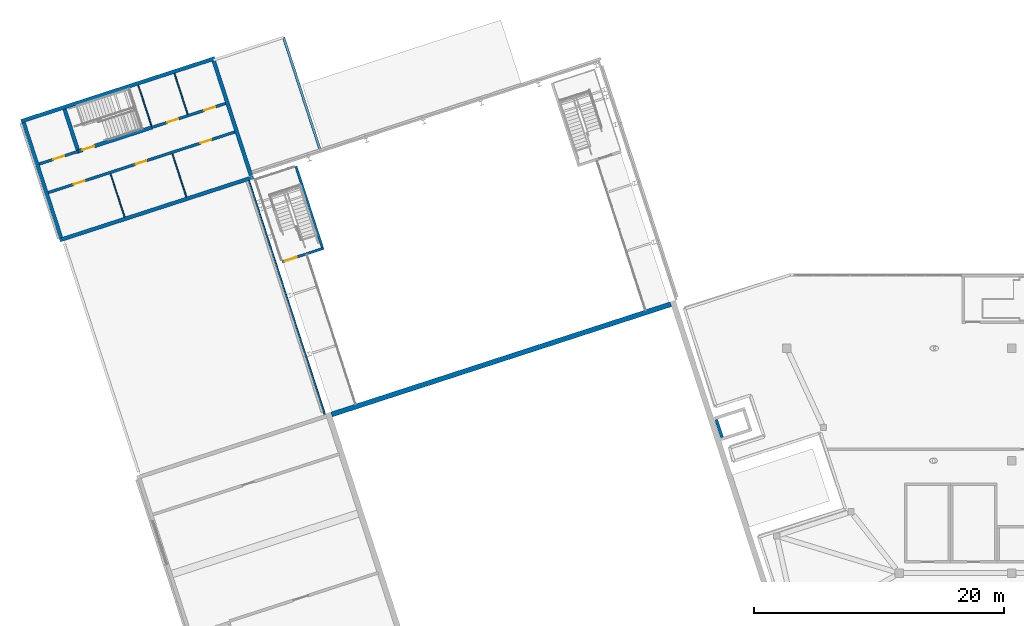
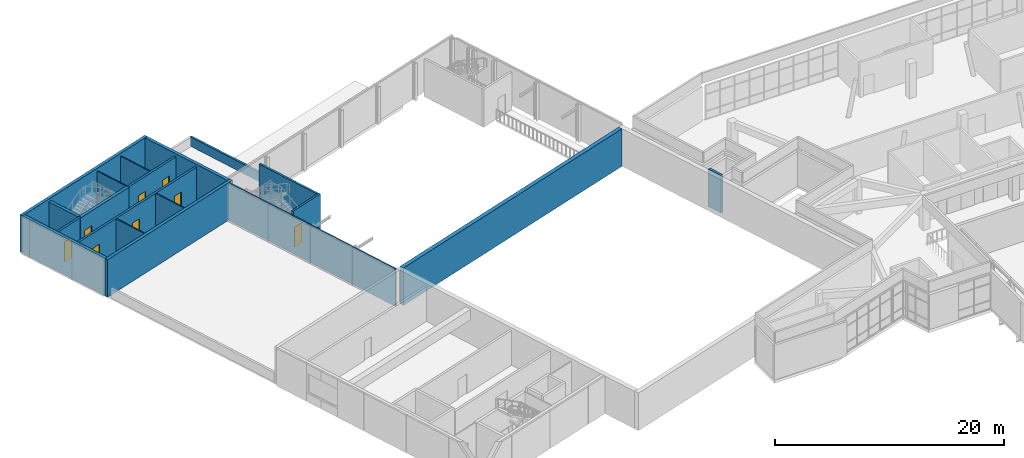
# One storey, part 61 of 72: 19 walls, 8 doors, 8 openings.
"""IFC4 building model written with IfcOpenShell, lengths in metres."""

from ifc_helpers import new_model, si_unit, direction, frame, frame_2d, origin, place, context, subcontext, project, spatial, rectangle, extrude, material, layer, layer_set, type_object, element, fill, save


model = new_model("IFC4")

# Units and contexts
model_context = context("Model", 3, precision=1e-05, world=origin(), true_north=direction((0.0, 1.0)))
body_context = subcontext(model_context, "Body", "Model", "MODEL_VIEW")
ifc_project = project(units=[si_unit("LENGTHUNIT", "METRE"), si_unit("AREAUNIT", "SQUARE_METRE"), si_unit("VOLUMEUNIT", "CUBIC_METRE"), si_unit("PLANEANGLEUNIT", "RADIAN"), si_unit("MASSUNIT", "GRAM", prefix="KILO")], contexts=[model_context])

# Site, building, storey
site_placement = place(None, origin())
site = spatial("IfcSite", under=ifc_project, at=site_placement, CompositionType="ELEMENT")
building_placement = place(site_placement, origin())
building = spatial("IfcBuilding", under=site, at=building_placement, Name="Tuart Plaza Theatre", CompositionType="ELEMENT")
storey_placement = place(building_placement, frame((0.0, 0.0, 13.5)))
storey = spatial("IfcBuildingStorey", under=building, at=storey_placement, Name="L03", CompositionType="ELEMENT", Elevation=13.5)

# Walls
ifc_material_1 = material(Name="Concrete N40 (40 MPa)", Category="concrete")
ifc_layer_1 = layer(ifc_material_1, 0.199951171875)
ifc_layer_set_1 = layer_set([ifc_layer_1], Name="PARAPET RC200 EXT")
wall_type_1 = type_object("IfcWallType", Name="PARAPET RC200 EXT", PredefinedType="PARAPET", material=ifc_layer_set_1)
wall_1_placement = place(storey_placement, frame((37.71923828125, 98.889404296875, 0.0), z_axis=(0.0, 0.0, 1.0), x_axis=(0.309002393867, -0.951061260164, 0.0)))
element("IfcWall", 1, at=wall_1_placement, inside=storey, type_object=wall_type_1, Name="P28", PredefinedType="PARAPET", context=body_context, shape_type="SweptSolid", body=[
    extrude(rectangle(XDim=9.5, YDim=0.199951171875, at=frame_2d((4.75, 0.0))), origin(), (0.0, 0.0, 1.0), 1.0),
])
ifc_material_2 = material(Name="Plasterboard on steel stud", Category="steel")
ifc_layer_2 = layer(ifc_material_2, 0.10009765625)
ifc_layer_set_2 = layer_set([ifc_layer_2], Name="PARTITION STD100")
wall_type_2 = type_object("IfcWallType", Name="PARTITION STD100", PredefinedType="PARTITIONING", material=ifc_layer_set_2)
wall_2_placement = place(storey_placement, frame((24.9921875, 84.50244140625, 0.0), z_axis=(0.0, 0.0, 1.0), x_axis=(-0.309075455797, 0.951037519041, 0.0)))
element("IfcWall", 2, at=wall_2_placement, inside=storey, type_object=wall_type_2, Name="P272", PredefinedType="PARTITIONING", context=body_context, shape_type="SweptSolid", body=[
    extrude(rectangle(XDim=3.639892578125, YDim=0.10009765625, at=frame_2d((1.81982421875, 0.0))), origin(), (0.0, 0.0, 1.0), 3.699951171875),
])
wall_3_placement = place(storey_placement, frame((29.9375, 86.109130859375, 0.0), z_axis=(0.0, 0.0, 1.0), x_axis=(-0.308995076085, 0.9510636377, 0.0)))
element("IfcWall", 3, at=wall_3_placement, inside=storey, type_object=wall_type_2, Name="P275", PredefinedType="PARTITIONING", context=body_context, shape_type="SweptSolid", body=[
    extrude(rectangle(XDim=3.64013671875, YDim=0.10009765625, at=frame_2d((1.820068359375, 0.0))), origin(), (0.0, 0.0, 1.0), 3.699951171875),
])
wall_4_placement = place(storey_placement, frame((30.0478515625, 92.727294921875, 0.0), z_axis=(0.0, 0.0, 1.0), x_axis=(-0.309021877853, 0.951054929543, 0.0)))
element("IfcWall", 4, at=wall_4_placement, inside=storey, type_object=wall_type_2, Name="P276", PredefinedType="PARTITIONING", context=body_context, shape_type="SweptSolid", body=[
    extrude(rectangle(XDim=3.43994140625, YDim=0.10009765625, at=frame_2d((1.719970703125, 0.0))), origin(), (0.0, 0.0, 1.0), 3.699951171875),
])
ifc_material_3 = material(Name="Plasterboard on steel stud", Category="steel")
ifc_layer_3 = layer(ifc_material_3, 0.10009765625)
ifc_layer_set_3 = layer_set([ifc_layer_3], Name="PARTITION STD100 FRL 120/120/120")
wall_type_3 = type_object("IfcWallType", Name="PARTITION STD100 FRL 120/120/120", PredefinedType="PARTITIONING", material=ifc_layer_set_3)
wall_5_placement = place(storey_placement, frame((27.134765625, 91.82275390625, 0.0), z_axis=(0.0, 0.0, 1.0), x_axis=(-0.308980533303, 0.951068362443, 0.0)))
element("IfcWall", 5, at=wall_5_placement, inside=storey, type_object=wall_type_3, Name="P274", PredefinedType="PARTITIONING", context=body_context, shape_type="SweptSolid", body=[
    extrude(rectangle(XDim=3.39990234375, YDim=0.10009765625, at=frame_2d((1.699951171875, 0.0))), origin(), (0.0, 0.0, 1.0), 3.699951171875),
])
ifc_material_4 = material(Name="Concrete N40 (40 MPa)", Category="concrete")
ifc_layer_4 = layer(ifc_material_4, 0.25)
ifc_layer_set_4 = layer_set([ifc_layer_4], Name="SHEAR WALL RC250 FRL 120/120/120")
wall_type_4 = type_object("IfcWallType", Name="SHEAR WALL RC250 FRL 120/120/120", PredefinedType="SHEAR", material=ifc_layer_set_4)
wall_6_placement = place(storey_placement, frame((72.343994140625, 68.29150390625, 0.0), z_axis=(0.0, 0.0, 1.0), x_axis=(0.309089752708, -0.951032872603, 0.0)))
element("IfcWall", 6, at=wall_6_placement, inside=storey, type_object=wall_type_4, Name="W243", PredefinedType="SHEAR", context=body_context, shape_type="SweptSolid", body=[
    extrude(rectangle(XDim=1.5, YDim=0.25, at=frame_2d((0.75, 0.0))), origin(), (0.0, 0.0, 1.0), 4.0),
])
ifc_material_5 = material(Name="Concrete N50 (50 MPa)", Category="concrete")
ifc_layer_5 = layer(ifc_material_5, 0.39990234375)
ifc_layer_set_5 = layer_set([ifc_layer_5], Name="SHEAR WALL RC400 N50 FRL 120/120/120")
wall_type_5 = type_object("IfcWallType", Name="SHEAR WALL RC400 N50 FRL 120/120/120", PredefinedType="SHEAR", material=ifc_layer_set_5)
wall_7_placement = place(storey_placement, frame((41.5615234375, 68.69921875, 0.0), z_axis=(0.0, 0.0, 1.0), x_axis=(0.951058008754, 0.309012401021, 0.0)))
element("IfcWall", 7, at=wall_7_placement, inside=storey, type_object=wall_type_5, Name="W55", PredefinedType="SHEAR", context=body_context, shape_type="SweptSolid", body=[
    extrude(rectangle(XDim=28.5498046875, YDim=0.39990234375, at=frame_2d((14.27490234375, 0.0))), origin(), (0.0, 0.0, 1.0), 4.0),
])

# Wall, opening, door
ifc_material_6 = material(Name="Concrete N40 (40 MPa)", Category="concrete")
ifc_layer_6 = layer(ifc_material_6, 0.199951171875)
ifc_layer_set_6 = layer_set([ifc_layer_6], Name="WALL RC200 LB FRL 120/120/120")
wall_type_6 = type_object("IfcWallType", Name="WALL RC200 LB FRL 120/120/120", PredefinedType="SOLIDWALL", material=ifc_layer_set_6)
wall_8_placement = place(storey_placement, frame((37.590576171875, 80.920166015625, 0.0), z_axis=(0.0, 0.0, 1.0), x_axis=(0.951052389726, 0.30902969436, 0.0)))
wall_8 = element("IfcWall", 8, at=wall_8_placement, inside=storey, type_object=wall_type_6, Name="W140", PredefinedType="SOLIDWALL", context=body_context, shape_type="SweptSolid", body=[
    extrude(rectangle(XDim=3.525146484375, YDim=0.199951171875, at=frame_2d((1.7626953125, 0.0))), origin(), (0.0, 0.0, 1.0), 4.0),
])
opening_1_placement = place(wall_8_placement, frame((0.22509765625, 0.0, 0.0)))
opening_1 = element("IfcOpeningElement", 9, at=opening_1_placement, cuts=wall_8, Name="Opening L03-017", PredefinedType="OPENING", context=body_context, shape_type="SweptSolid", body=[
    extrude(rectangle(XDim=1.0, YDim=2.10009765625, at=frame_2d((0.5, 1.050048828125))), frame((0.0, 0.10986328125, 0.0), z_axis=(0.0, -1.0, 0.0), x_axis=(1.0, 0.0, 0.0)), (0.0, 0.0, 1.0), 0.219970703125),
])
ifc_material_7 = material(Name="Timber", Category="wood")
door_type_1 = type_object("IfcDoorType", Name="DOOR 1000x2100 timber single swing FRL -/120/30", OperationType="SINGLE_SWING_LEFT", PredefinedType="DOOR", material=ifc_material_7)
door_1_placement = place(opening_1_placement, origin())
door_1 = element("IfcDoor", 10, at=door_1_placement, inside=storey, type_object=door_type_1, Name="L03-017", OperationType="SINGLE_SWING_LEFT", OverallHeight=2.10009765625, OverallWidth=1.0, PredefinedType="DOOR", context=body_context, shape_type="SweptSolid", body=[
    extrude(rectangle(XDim=1.0, YDim=2.10009765625, at=frame_2d((0.5, 1.050048828125))), frame((0.0, 0.02490234375, 0.0), z_axis=(0.0, -1.0, 0.0), x_axis=(1.0, 0.0, 0.0)), (0.0, 0.0, 1.0), 0.050048828125),
])
fill(opening_1, door_1)

# Wall
wall_9_placement = place(storey_placement, frame((40.817138671875, 82.07373046875, 0.0), z_axis=(0.0, 0.0, 1.0), x_axis=(-0.309028643499, 0.951052731186, 0.0)))
element("IfcWall", 11, at=wall_9_placement, inside=storey, type_object=wall_type_6, Name="W141", PredefinedType="SOLIDWALL", context=body_context, shape_type="SweptSolid", body=[
    extrude(rectangle(XDim=6.824951171875, YDim=0.199951171875, at=frame_2d((3.41259765625, 0.0))), origin(), (0.0, 0.0, 1.0), 4.0),
])

# Wall, openings, doors
ifc_material_8 = material(Name="Concrete N40 (40 MPa)", Category="concrete")
ifc_layer_7 = layer(ifc_material_8, 0.219970703125)
ifc_layer_set_7 = layer_set([ifc_layer_7], Name="WALL RC220 LB FRL 120/120/120")
wall_type_7 = type_object("IfcWallType", Name="WALL RC220 LB FRL 120/120/120", PredefinedType="SOLIDWALL", material=ifc_layer_set_7)
wall_10_placement = place(storey_placement, frame((18.8876953125, 86.4619140625, 0.0), z_axis=(0.0, 0.0, 1.0), x_axis=(0.951056921306, 0.309015747878, 0.0)))
wall_10 = element("IfcWall", 12, at=wall_10_placement, inside=storey, type_object=wall_type_7, Name="W533", PredefinedType="SOLIDWALL", context=body_context, shape_type="SweptSolid", body=[
    extrude(rectangle(XDim=15.699951171875, YDim=0.219970703125, at=frame_2d((7.85009765625, 0.0))), origin(), (0.0, 0.0, 1.0), 3.699951171875),
])
opening_2_placement = place(wall_10_placement, frame((2.14990234375, 0.0, 0.0)))
opening_2 = element("IfcOpeningElement", 13, at=opening_2_placement, cuts=wall_10, Name="Opening L03-012", PredefinedType="OPENING", context=body_context, shape_type="SweptSolid", body=[
    extrude(rectangle(XDim=0.89990234375, YDim=2.10009765625, at=frame_2d((0.449951171875, 1.050048828125))), frame((0.0, 0.119873046875, 0.0), z_axis=(0.0, -1.0, 0.0), x_axis=(1.0, 0.0, 0.0)), (0.0, 0.0, 1.0), 0.239990234375),
])
opening_3_placement = place(wall_10_placement, frame((7.35009765625, 0.0, 0.0)))
opening_3 = element("IfcOpeningElement", 14, at=opening_3_placement, cuts=wall_10, Name="Opening L03-013", PredefinedType="OPENING", context=body_context, shape_type="SweptSolid", body=[
    extrude(rectangle(XDim=0.89990234375, YDim=2.10009765625, at=frame_2d((0.449951171875, 1.050048828125))), frame((0.0, 0.119873046875, 0.0), z_axis=(0.0, -1.0, 0.0), x_axis=(1.0, 0.0, 0.0)), (0.0, 0.0, 1.0), 0.239990234375),
])
opening_4_placement = place(wall_10_placement, frame((12.803955078125, 0.0, 0.0)))
opening_4 = element("IfcOpeningElement", 15, at=opening_4_placement, cuts=wall_10, Name="Opening L03-014", PredefinedType="OPENING", context=body_context, shape_type="SweptSolid", body=[
    extrude(rectangle(XDim=0.89990234375, YDim=2.10009765625, at=frame_2d((0.449951171875, 1.050048828125))), frame((0.0, 0.119873046875, 0.0), z_axis=(0.0, -1.0, 0.0), x_axis=(1.0, 0.0, 0.0)), (0.0, 0.0, 1.0), 0.239990234375),
])
ifc_material_9 = material(Name="Timber", Category="wood")
door_type_2 = type_object("IfcDoorType", Name="DOOR 900x2100 timber single swing FRL -/120/30", OperationType="SINGLE_SWING_LEFT", PredefinedType="DOOR", material=ifc_material_9)
door_2_placement = place(opening_2_placement, frame((0.89990234375, 0.0, 0.0), z_axis=(0.0, 0.0, 1.0), x_axis=(-1.0, 0.0, 0.0)))
door_2 = element("IfcDoor", 16, at=door_2_placement, inside=storey, type_object=door_type_2, Name="L03-012", OperationType="SINGLE_SWING_LEFT", OverallHeight=2.10009765625, OverallWidth=0.89990234375, PredefinedType="DOOR", context=body_context, shape_type="SweptSolid", body=[
    extrude(rectangle(XDim=0.89990234375, YDim=2.10009765625, at=frame_2d((0.449951171875, 1.050048828125))), frame((0.0, 0.02490234375, 0.0), z_axis=(0.0, -1.0, 0.0), x_axis=(1.0, 0.0, 0.0)), (0.0, 0.0, 1.0), 0.050048828125),
])
fill(opening_2, door_2)
door_3_placement = place(opening_3_placement, frame((0.89990234375, 0.0, 0.0), z_axis=(0.0, 0.0, 1.0), x_axis=(-1.0, 0.0, 0.0)))
door_3 = element("IfcDoor", 17, at=door_3_placement, inside=storey, type_object=door_type_2, Name="L03-013", OperationType="SINGLE_SWING_LEFT", OverallHeight=2.10009765625, OverallWidth=0.89990234375, PredefinedType="DOOR", context=body_context, shape_type="SweptSolid", body=[
    extrude(rectangle(XDim=0.89990234375, YDim=2.10009765625, at=frame_2d((0.449951171875, 1.050048828125))), frame((0.0, 0.02490234375, 0.0), z_axis=(0.0, -1.0, 0.0), x_axis=(1.0, 0.0, 0.0)), (0.0, 0.0, 1.0), 0.050048828125),
])
fill(opening_3, door_3)
door_4_placement = place(opening_4_placement, frame((0.89990234375, 0.0, 0.0), z_axis=(0.0, 0.0, 1.0), x_axis=(-1.0, 0.0, 0.0)))
door_4 = element("IfcDoor", 18, at=door_4_placement, inside=storey, type_object=door_type_2, Name="L03-014", OperationType="SINGLE_SWING_LEFT", OverallHeight=2.10009765625, OverallWidth=0.89990234375, PredefinedType="DOOR", context=body_context, shape_type="SweptSolid", body=[
    extrude(rectangle(XDim=0.89990234375, YDim=2.10009765625, at=frame_2d((0.449951171875, 1.050048828125))), frame((0.0, 0.02490234375, 0.0), z_axis=(0.0, -1.0, 0.0), x_axis=(1.0, 0.0, 0.0)), (0.0, 0.0, 1.0), 0.050048828125),
])
fill(opening_4, door_4)

# Wall, opening, door
wall_11_placement = place(storey_placement, frame((18.146240234375, 88.744384765625, 0.0), z_axis=(0.0, 0.0, 1.0), x_axis=(0.951053095941, 0.309027520945, 0.0)))
wall_11 = element("IfcWall", 19, at=wall_11_placement, inside=storey, type_object=wall_type_7, Name="W534", PredefinedType="SOLIDWALL", context=body_context, shape_type="SweptSolid", body=[
    extrude(rectangle(XDim=3.300048828125, YDim=0.219970703125, at=frame_2d((1.64990234375, 0.0))), origin(), (0.0, 0.0, 1.0), 3.699951171875),
])
opening_5_placement = place(wall_11_placement, frame((1.199951171875, 0.0, 0.0)))
opening_5 = element("IfcOpeningElement", 20, at=opening_5_placement, cuts=wall_11, Name="Opening L03-006", PredefinedType="OPENING", context=body_context, shape_type="SweptSolid", body=[
    extrude(rectangle(XDim=0.89990234375, YDim=2.10009765625, at=frame_2d((0.449951171875, 1.050048828125))), frame((0.0, 0.119873046875, 0.0), z_axis=(0.0, -1.0, 0.0), x_axis=(1.0, 0.0, 0.0)), (0.0, 0.0, 1.0), 0.239990234375),
])
door_5_placement = place(opening_5_placement, origin())
door_5 = element("IfcDoor", 21, at=door_5_placement, inside=storey, type_object=door_type_2, Name="L03-006", OperationType="SINGLE_SWING_LEFT", OverallHeight=2.10009765625, OverallWidth=0.89990234375, PredefinedType="DOOR", context=body_context, shape_type="SweptSolid", body=[
    extrude(rectangle(XDim=0.89990234375, YDim=2.10009765625, at=frame_2d((0.449951171875, 1.050048828125))), frame((0.0, 0.02490234375, 0.0), z_axis=(0.0, -1.0, 0.0), x_axis=(1.0, 0.0, 0.0)), (0.0, 0.0, 1.0), 0.050048828125),
])
fill(opening_5, door_5)

# Wall, openings, doors
wall_12_placement = place(storey_placement, frame((27.18115234375, 91.68017578125, 0.0), z_axis=(0.0, 0.0, 1.0), x_axis=(0.95106184554, 0.309000592164, 0.0)))
wall_12 = element("IfcWall", 22, at=wall_12_placement, inside=storey, type_object=wall_type_7, Name="W535", PredefinedType="SOLIDWALL", context=body_context, shape_type="SweptSolid", body=[
    extrude(rectangle(XDim=6.199951171875, YDim=0.219970703125, at=frame_2d((3.10009765625, 0.0))), origin(), (0.0, 0.0, 1.0), 3.699951171875),
])
opening_6_placement = place(wall_12_placement, frame((1.29296875, 0.0, 0.0)))
opening_6 = element("IfcOpeningElement", 23, at=opening_6_placement, cuts=wall_12, Name="Opening L03-007", PredefinedType="OPENING", context=body_context, shape_type="SweptSolid", body=[
    extrude(rectangle(XDim=0.89990234375, YDim=2.10009765625, at=frame_2d((0.449951171875, 1.050048828125))), frame((0.0, 0.119873046875, 0.0), z_axis=(0.0, -1.0, 0.0), x_axis=(1.0, 0.0, 0.0)), (0.0, 0.0, 1.0), 0.239990234375),
])
opening_7_placement = place(wall_12_placement, frame((4.39990234375, 0.0, 0.0)))
opening_7 = element("IfcOpeningElement", 24, at=opening_7_placement, cuts=wall_12, Name="Opening L03-008", PredefinedType="OPENING", context=body_context, shape_type="SweptSolid", body=[
    extrude(rectangle(XDim=0.89990234375, YDim=2.10009765625, at=frame_2d((0.449951171875, 1.050048828125))), frame((0.0, 0.119873046875, 0.0), z_axis=(0.0, -1.0, 0.0), x_axis=(1.0, 0.0, 0.0)), (0.0, 0.0, 1.0), 0.239990234375),
])
door_6_placement = place(opening_6_placement, origin())
door_6 = element("IfcDoor", 25, at=door_6_placement, inside=storey, type_object=door_type_2, Name="L03-007", OperationType="SINGLE_SWING_RIGHT", OverallHeight=2.10009765625, OverallWidth=0.89990234375, PredefinedType="DOOR", context=body_context, shape_type="SweptSolid", body=[
    extrude(rectangle(XDim=0.89990234375, YDim=2.10009765625, at=frame_2d((0.449951171875, 1.050048828125))), frame((0.0, 0.02490234375, 0.0), z_axis=(0.0, -1.0, 0.0), x_axis=(1.0, 0.0, 0.0)), (0.0, 0.0, 1.0), 0.050048828125),
])
fill(opening_6, door_6)
door_7_placement = place(opening_7_placement, origin())
door_7 = element("IfcDoor", 26, at=door_7_placement, inside=storey, type_object=door_type_2, Name="L03-008", OperationType="SINGLE_SWING_LEFT", OverallHeight=2.10009765625, OverallWidth=0.89990234375, PredefinedType="DOOR", context=body_context, shape_type="SweptSolid", body=[
    extrude(rectangle(XDim=0.89990234375, YDim=2.10009765625, at=frame_2d((0.449951171875, 1.050048828125))), frame((0.0, 0.02490234375, 0.0), z_axis=(0.0, -1.0, 0.0), x_axis=(1.0, 0.0, 0.0)), (0.0, 0.0, 1.0), 0.050048828125),
])
fill(opening_7, door_7)

# Walls
ifc_material_10 = material(Name="Concrete N40 (40 MPa)", Category="concrete")
ifc_layer_8 = layer(ifc_material_10, 0.300048828125)
ifc_layer_set_8 = layer_set([ifc_layer_8], Name="WALL RC300 LB FRL 120/120/120")
wall_type_8 = type_object("IfcWallType", Name="WALL RC300 LB FRL 120/120/120", PredefinedType="SOLIDWALL", material=ifc_layer_set_8)
wall_13_placement = place(storey_placement, frame((35.309814453125, 87.697021484375, 0.0), z_axis=(0.0, 0.0, 1.0), x_axis=(-0.951058391285, -0.309011223689, 0.0)))
element("IfcWall", 27, at=wall_13_placement, inside=storey, type_object=wall_type_8, Name="W86", PredefinedType="SOLIDWALL", context=body_context, shape_type="SweptSolid", body=[
    extrude(rectangle(XDim=16.300048828125, YDim=0.300048828125, at=frame_2d((8.14990234375, 0.0))), origin(), (0.0, 0.0, 1.0), 4.0),
])
wall_14_placement = place(storey_placement, frame((19.90380859375, 82.84912109375, 0.0), z_axis=(0.0, 0.0, 1.0), x_axis=(-0.309000135, 0.951061994073, 0.0)))
element("IfcWall", 28, at=wall_14_placement, inside=storey, type_object=wall_type_8, Name="W87", PredefinedType="SOLIDWALL", context=body_context, shape_type="SweptSolid", body=[
    extrude(rectangle(XDim=9.699951171875, YDim=0.300048828125, at=frame_2d((4.85009765625, 0.0))), origin(), (0.0, 0.0, 1.0), 4.0),
])
wall_15_placement = place(storey_placement, frame((16.717529296875, 92.170654296875, 0.0), z_axis=(0.0, 0.0, 1.0), x_axis=(0.951058391285, 0.309011223689, 0.0)))
element("IfcWall", 29, at=wall_15_placement, inside=storey, type_object=wall_type_8, Name="W88", PredefinedType="SOLIDWALL", context=body_context, shape_type="SweptSolid", body=[
    extrude(rectangle(XDim=16.300048828125, YDim=0.300048828125, at=frame_2d((8.14990234375, 0.0))), origin(), (0.0, 0.0, 1.0), 4.0),
])
wall_16_placement = place(storey_placement, frame((32.123291015625, 97.0185546875, 0.0), z_axis=(0.0, 0.0, 1.0), x_axis=(0.309030297822, -0.95105219364, 0.0)))
element("IfcWall", 30, at=wall_16_placement, inside=storey, type_object=wall_type_8, Name="W89", PredefinedType="SOLIDWALL", context=body_context, shape_type="SweptSolid", body=[
    extrude(rectangle(XDim=9.699951171875, YDim=0.300048828125, at=frame_2d((4.85009765625, 0.0))), origin(), (0.0, 0.0, 1.0), 4.0),
])

# Wall, opening, door
wall_17_placement = place(storey_placement, frame((27.18115234375, 91.68017578125, 0.0), z_axis=(0.0, 0.0, 1.0), x_axis=(-0.951051301895, -0.309033042189, 0.0)))
wall_17 = element("IfcWall", 31, at=wall_17_placement, inside=storey, type_object=wall_type_8, Name="W121", PredefinedType="SOLIDWALL", context=body_context, shape_type="SweptSolid", body=[
    extrude(rectangle(XDim=6.35009765625, YDim=0.300048828125, at=frame_2d((3.175048828125, 0.0))), origin(), (0.0, 0.0, 1.0), 3.699951171875),
])
opening_8_placement = place(wall_17_placement, frame((4.85009765625, 0.0, 0.0)))
opening_8 = element("IfcOpeningElement", 32, at=opening_8_placement, cuts=wall_17, Name="Opening L03-016", PredefinedType="OPENING", context=body_context, shape_type="SweptSolid", body=[
    extrude(rectangle(XDim=1.0, YDim=2.10009765625, at=frame_2d((0.5, 1.050048828125))), frame((0.0, 0.159912109375, 0.0), z_axis=(0.0, -1.0, 0.0), x_axis=(1.0, 0.0, 0.0)), (0.0, 0.0, 1.0), 0.320068359375),
])
door_8_placement = place(opening_8_placement, frame((1.0, 0.0, 0.0), z_axis=(0.0, 0.0, 1.0), x_axis=(-1.0, 0.0, 0.0)))
door_8 = element("IfcDoor", 33, at=door_8_placement, inside=storey, type_object=door_type_1, Name="L03-016", OperationType="SINGLE_SWING_RIGHT", OverallHeight=2.10009765625, OverallWidth=1.0, PredefinedType="DOOR", context=body_context, shape_type="SweptSolid", body=[
    extrude(rectangle(XDim=1.0, YDim=2.10009765625, at=frame_2d((0.5, 1.050048828125))), frame((0.0, 0.02490234375, 0.0), z_axis=(0.0, -1.0, 0.0), x_axis=(1.0, 0.0, 0.0)), (0.0, 0.0, 1.0), 0.050048828125),
])
fill(opening_8, door_8)

# Walls
wall_18_placement = place(storey_placement, frame((21.23828125, 89.906982421875, 0.0), z_axis=(0.0, 0.0, 1.0), x_axis=(-0.309066587596, 0.951040401051, 0.0)))
element("IfcWall", 34, at=wall_18_placement, inside=storey, type_object=wall_type_8, Name="W122", PredefinedType="SOLIDWALL", context=body_context, shape_type="SweptSolid", body=[
    extrude(rectangle(XDim=3.39990234375, YDim=0.300048828125, at=frame_2d((1.699951171875, 0.0))), origin(), (0.0, 0.0, 1.0), 3.699951171875),
])
ifc_material_11 = material(Name="Zinc")
ifc_layer_9 = layer(ifc_material_11, 0.139892578125)
ifc_layer_set_9 = layer_set([ifc_layer_9], Name="WALL ZIN140 ZINC EXT")
wall_type_9 = type_object("IfcWallType", Name="WALL ZIN140 ZINC EXT", PredefinedType="SOLIDWALL", material=ifc_layer_set_9)
wall_19_placement = place(storey_placement, frame((41.005126953125, 68.728515625, 0.0), z_axis=(0.0, 0.0, 1.0), x_axis=(-0.309017523599, 0.95105634434, 0.0)))
element("IfcWall", 35, at=wall_19_placement, inside=storey, type_object=wall_type_9, Name="P11", PredefinedType="SOLIDWALL", context=body_context, shape_type="SweptSolid", body=[
    extrude(rectangle(XDim=19.650146484375, YDim=0.139892578125, at=frame_2d((9.8251953125, 0.0))), origin(), (0.0, 0.0, 1.0), 4.0),
])

save(model, "model.ifc")
